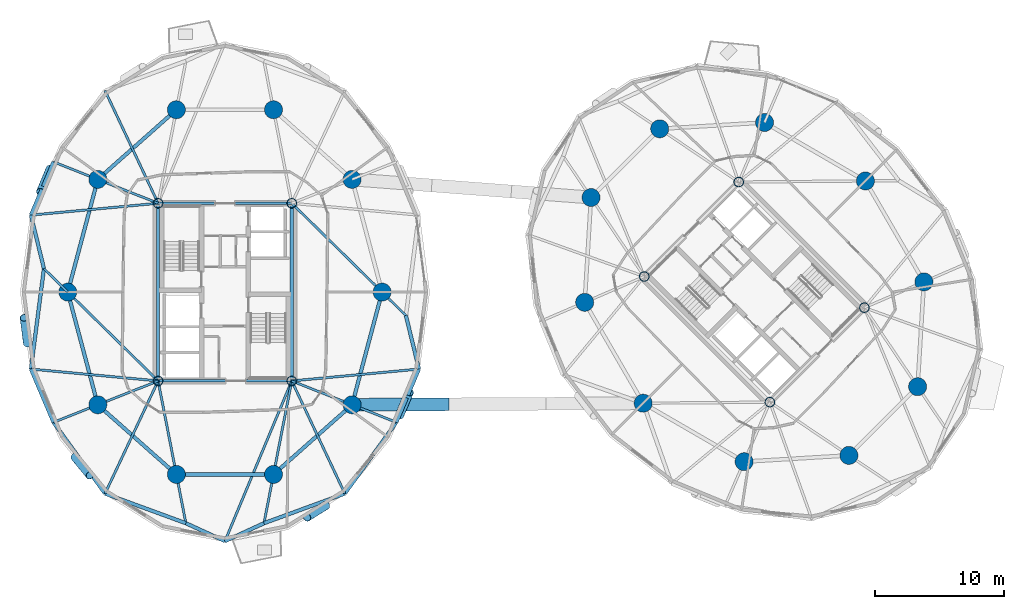
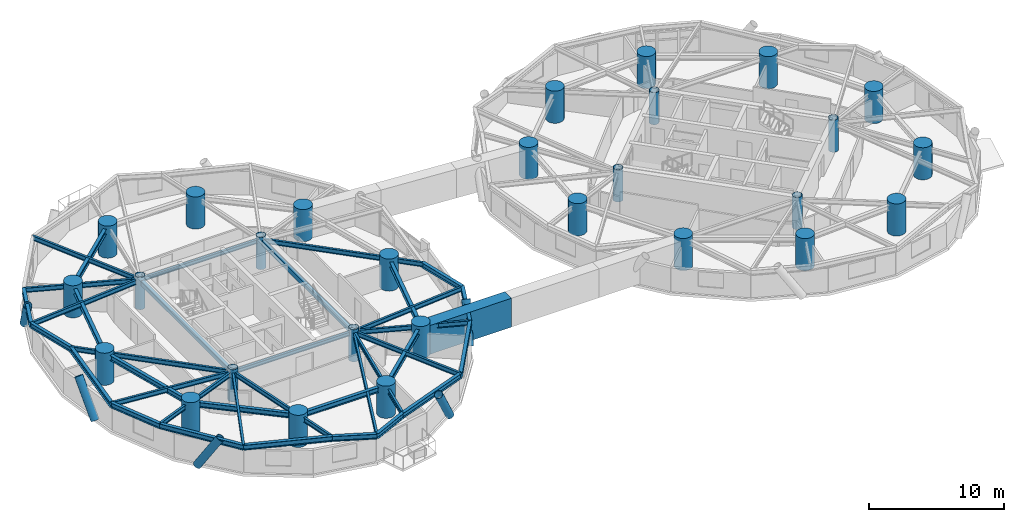
# One storey, part 1 of 18: 39 beams, 28 columns, 5 members.
"""IFC4 building model written with IfcOpenShell, lengths in metres."""

import ifcopenshell
import ifcopenshell.guid

model = None  # the IFC model being written
_history = None  # IfcOwnerHistory: only IFC2X3 demands one
_inside = {}  # id of a spatial element -> (the spatial element, [elements in it])
_under = {}  # id of a project, library or spatial element -> (it, [spatial elements below it])
_declared = {}  # id of a project -> (the project, [libraries it declares])
_typed = {}  # id of a type object -> (the type object, [elements of that type])
_made_of = {}  # id of a material, layer set ... -> (it, [elements and type objects made of it])


def new_model(schema):
    """Start an empty IFC model of exactly this schema.

    Asked for "IFC4X3", IfcOpenShell would pick the latest addendum, in which some entities
    have other attributes; the version numbers below select the first issue.
    IFC2X3 requires an IfcOwnerHistory on every rooted entity: one is made here for all.
    """
    global model, _history
    if schema == "IFC4X3":
        model = ifcopenshell.file(schema_version=(4, 3, 0, 0))
    else:
        model = ifcopenshell.file(schema=schema)
    _inside.clear()
    _under.clear()
    _declared.clear()
    _typed.clear()
    _made_of.clear()
    _history = None
    if model.schema == "IFC2X3":
        org = make("IfcOrganization", Name="unknown")
        user = make(
            "IfcPersonAndOrganization",
            ThePerson=make("IfcPerson", FamilyName="unknown"),
            TheOrganization=org,
        )
        app = make(
            "IfcApplication",
            ApplicationDeveloper=org,
            Version="unknown",
            ApplicationFullName="unknown",
            ApplicationIdentifier="unknown",
        )
        _history = make(
            "IfcOwnerHistory",
            OwningUser=user,
            OwningApplication=app,
            ChangeAction="ADDED",
            CreationDate=0,
        )
    return model


def make(cls, **values):
    """One entity of the class cls with the attributes given. An attribute that is None is left unset."""
    return model.create_entity(
        cls, **{name: value for name, value in values.items() if value is not None}
    )


def rooted(cls, **values):
    """An entity with a GlobalId (a new one), such as an element, a storey or a relation."""
    return make(cls, GlobalId=ifcopenshell.guid.new(), OwnerHistory=_history, **values)


def si_unit(unit_type, name, prefix=None):
    """IfcSIUnit, for example si_unit("LENGTHUNIT", "METRE", prefix="MILLI")."""
    return make("IfcSIUnit", UnitType=unit_type, Prefix=prefix, Name=name)


def assignment(units):
    """IfcUnitAssignment: the units of a project."""
    return None if units is None else make("IfcUnitAssignment", Units=units)


def point(xyz):
    """IfcCartesianPoint."""
    return None if xyz is None else make("IfcCartesianPoint", Coordinates=xyz)


def direction(xyz):
    """IfcDirection."""
    return None if xyz is None else make("IfcDirection", DirectionRatios=xyz)


def frame(location, z_axis=None, x_axis=None):
    """IfcAxis2Placement3D, a coordinate frame: its origin and axes. An axis left out is left unset."""
    return make(
        "IfcAxis2Placement3D",
        Location=point(location),
        Axis=direction(z_axis),
        RefDirection=direction(x_axis),
    )


def frame_2d(location, x_axis=None):
    """IfcAxis2Placement2D, a coordinate frame in the plane: its origin and x axis."""
    return make(
        "IfcAxis2Placement2D", Location=point(location), RefDirection=direction(x_axis)
    )


def origin():
    """The frame at (0, 0, 0) with its axes left unset."""
    return frame((0.0, 0.0, 0.0))


def origin_2d():
    """The frame at (0, 0) in the plane with its x axis left unset."""
    return frame_2d((0.0, 0.0))


def place(relative_to, where):
    """IfcLocalPlacement: puts the frame where relative to a parent placement (None: the world)."""
    return make(
        "IfcLocalPlacement", PlacementRelTo=relative_to, RelativePlacement=where
    )


def context(
    kind, dimensions, precision=None, world=None, true_north=None, identifier=None
):
    """IfcGeometricRepresentationContext, for example the 3D "Model" context."""
    return make(
        "IfcGeometricRepresentationContext",
        ContextIdentifier=identifier,
        ContextType=kind,
        CoordinateSpaceDimension=dimensions,
        Precision=precision,
        WorldCoordinateSystem=world,
        TrueNorth=true_north,
    )


def subcontext(parent, identifier, kind, view, scale=None):
    """IfcGeometricRepresentationSubContext, for example "Body" below "Model"."""
    return make(
        "IfcGeometricRepresentationSubContext",
        ContextIdentifier=identifier,
        ContextType=kind,
        ParentContext=parent,
        TargetScale=scale,
        TargetView=view,
    )


def project(units=None, contexts=None):
    """IfcProject with its units and contexts."""
    return rooted(
        "IfcProject",
        Name="project",
        RepresentationContexts=contexts,
        UnitsInContext=assignment(units),
    )


def spatial(cls, under=None, at=None, **own):
    """A site, building, storey or space (cls), placed at a placement, below another one or the project."""
    s = rooted(cls, ObjectPlacement=at, **own)
    if under is not None:
        _under.setdefault(under.id(), (under, []))[1].append(s)
    return s


def profile(cls, at=None, kind="AREA", **sizes):
    """A parametric profile (cls). Its sizes go by their IFC names, for example OverallWidth=200.0."""
    return make(cls, ProfileType=kind, Position=at, **sizes)


def hollow_rectangle(**sizes):
    """IfcRectangleHollowProfileDef."""
    return profile("IfcRectangleHollowProfileDef", **sizes)


def circle(**sizes):
    """IfcCircleProfileDef."""
    return profile("IfcCircleProfileDef", **sizes)


def hollow_circle(**sizes):
    """IfcCircleHollowProfileDef."""
    return profile("IfcCircleHollowProfileDef", **sizes)


def i_section(**sizes):
    """IfcIShapeProfileDef."""
    return profile("IfcIShapeProfileDef", **sizes)


def extrude(swept, where, along, depth):
    """IfcExtrudedAreaSolid: the profile swept, set in the frame where, extruded along a direction by depth."""
    return make(
        "IfcExtrudedAreaSolid",
        SweptArea=swept,
        Position=where,
        ExtrudedDirection=direction(along),
        Depth=depth,
    )


def shape(context_of_items, identifier, shape_type, items):
    """IfcShapeRepresentation: the items that make up one representation, for example the "Body"."""
    return make(
        "IfcShapeRepresentation",
        ContextOfItems=context_of_items,
        RepresentationIdentifier=identifier,
        RepresentationType=shape_type,
        Items=items,
    )


def material(Name=None, Category=None):
    """IfcMaterial."""
    return make("IfcMaterial", Name=Name, Category=Category)


def material_profile(
    of_material, cross_section, Name=None, Category=None, Priority=None
):
    """IfcMaterialProfile: a cross section and its material."""
    return make(
        "IfcMaterialProfile",
        Name=Name,
        Material=of_material,
        Profile=cross_section,
        Priority=Priority,
        Category=Category,
    )


def profile_set(profiles, Name=None, composite=None):
    """IfcMaterialProfileSet."""
    return make(
        "IfcMaterialProfileSet",
        Name=Name,
        MaterialProfiles=profiles,
        CompositeProfile=composite,
    )


def made_of(thing, what):
    """Note that an element or type object is made of a material, layer set ...; save() writes the relation."""
    if what is not None:
        _made_of.setdefault(what.id(), (what, []))[1].append(thing)
    return thing


def type_object(cls, material=None, **own):
    """A type object (cls), such as IfcWallType, which elements share."""
    return made_of(rooted(cls, **own), material)


def element(
    cls,
    number,
    at=None,
    inside=None,
    cuts=None,
    type_object=None,
    material=None,
    context=None,
    identifier="Body",
    shape_type=None,
    held_by="IfcProductDefinitionShape",
    body=None,
    shapes=None,
    **own,
):
    """One element of the class cls, such as IfcWall. Its Tag is "e" and its number.

    at: its placement. inside: the storey or other place that contains it. cuts: it is an
    opening in that element (IfcRelVoidsElement). A single representation is given by context,
    identifier, shape_type and body (its items); several are given by shapes. held_by: the class
    of the entity that holds the representations. save() writes the other relations.
    """
    e = rooted(cls, Tag="e%d" % number, ObjectPlacement=at, **own)
    if body is not None:
        shapes = [shape(context, identifier, shape_type, body)]
    if shapes is not None:
        e.Representation = make(held_by, Representations=shapes)
    if inside is not None:
        _inside.setdefault(inside.id(), (inside, []))[1].append(e)
    if cuts is not None:
        rooted(
            "IfcRelVoidsElement", RelatingBuildingElement=cuts, RelatedOpeningElement=e
        )
    if type_object is not None:
        _typed.setdefault(type_object.id(), (type_object, []))[1].append(e)
    return made_of(e, material)


def aggregate(whole, parts):
    """IfcRelAggregates: a whole, such as a stair, and the parts it consists of."""
    return rooted("IfcRelAggregates", RelatingObject=whole, RelatedObjects=parts)


def save(model, path):
    """Write the relations noted so far, then the file.

    IfcRelAggregates (storeys below a building ...), IfcRelContainedInSpatialStructure (elements
    in a storey), IfcRelDefinesByType, IfcRelAssociatesMaterial and IfcRelDeclares: one each for
    every whole, place, type object, material and project.
    """
    for whole, parts in _under.values():
        aggregate(whole, parts)
    for where, things in _inside.values():
        rooted(
            "IfcRelContainedInSpatialStructure",
            RelatedElements=things,
            RelatingStructure=where,
        )
    for kind, things in _typed.values():
        rooted("IfcRelDefinesByType", RelatedObjects=things, RelatingType=kind)
    for what, things in _made_of.values():
        rooted("IfcRelAssociatesMaterial", RelatedObjects=things, RelatingMaterial=what)
    for by, libraries in _declared.values():
        rooted("IfcRelDeclares", RelatingContext=by, RelatedDefinitions=libraries)
    model.write(path)


model = new_model("IFC4")

# Units and contexts
model_context = context("Model", 3, precision=1e-05, world=origin(), true_north=direction((0.0, 1.0)))
body_context = subcontext(model_context, "Body", "Model", "MODEL_VIEW")
ifc_project = project(units=[si_unit("LENGTHUNIT", "METRE"), si_unit("AREAUNIT", "SQUARE_METRE"), si_unit("VOLUMEUNIT", "CUBIC_METRE"), si_unit("PLANEANGLEUNIT", "RADIAN"), si_unit("MASSUNIT", "GRAM", prefix="KILO")], contexts=[model_context])

# Site, building, storey
site_placement = place(None, origin())
site = spatial("IfcSite", under=ifc_project, at=site_placement, CompositionType="ELEMENT")
building_placement = place(site_placement, origin())
building = spatial("IfcBuilding", under=site, at=building_placement, Name="Cununo Teusaquillo Station Towers", CompositionType="ELEMENT")
storey_placement = place(building_placement, frame((0.0, 0.0, 122.530029296875)))
storey = spatial("IfcBuildingStorey", under=building, at=storey_placement, Name="L39", CompositionType="ELEMENT", Elevation=122.530029296875)

# Columns
ifc_material_1 = material(Name="Steel EN 10025-2 S355J2", Category="steel")
ifc_material_profile_1 = material_profile(ifc_material_1, hollow_circle(Radius=0.3798828125, WallThickness=0.031982421875, at=origin_2d()), Name="CHS 760x32")
ifc_profile_set_1 = profile_set([ifc_material_profile_1], Name="Steel EN 10025-2 S355J2")
column_type_1 = type_object("IfcColumnType", Name="COL-CORE-Z2", PredefinedType="COLUMN", material=ifc_profile_set_1)
for number, where, z_axis, x_axis, name in (
    (1, (11.324951171875, 17.6201171875, 0.0), (0.0, 0.0, 1.0), (1.0, 0.0, 0.0), "L39 Tower A Core Column 1"),
    (2, (11.324951171875, 31.3798828125, 0.0), (0.0, 0.0, 1.0), (1.0, 0.0, 0.0), "L39 Tower A Core Column 2"),
    (3, (21.675048828125, 17.6201171875, 0.0), (0.0, 0.0, 1.0), (1.0, 0.0, 0.0), "L39 Tower A Core Column 3"),
    (4, (21.675048828125, 31.3798828125, 0.0), (0.0, 0.0, 1.0), (1.0, 0.0, 0.0), "L39 Tower A Core Column 4"),
    (5, (58.70556640625, 15.975830078125, 0.0), (0.0, 0.0, 1.0), (0.707106781187, 0.707106781187, 0.0), "L39 Tower B Core Column 1"),
    (6, (48.975830078125, 25.70556640625, 0.0), (0.0, 0.0, 1.0), (0.707106781187, 0.707106781187, 0.0), "L39 Tower B Core Column 2"),
    (7, (66.024169921875, 23.29443359375, 0.0), (0.0, 0.0, 1.0), (0.707106781187, 0.707106781187, 0.0), "L39 Tower B Core Column 3"),
    (8, (56.29443359375, 33.024169921875, 0.0), (0.0, 0.0, 1.0), (0.707106781187, 0.707106781187, 0.0), "L39 Tower B Core Column 4"),
):
    element("IfcColumn", number, at=place(storey_placement, frame(where, z_axis=z_axis, x_axis=x_axis)), inside=storey, type_object=column_type_1, Name=name, PredefinedType="COLUMN", context=body_context, shape_type="SweptSolid", body=[
        extrude(hollow_circle(Radius=0.3798828125, WallThickness=0.031982421875, at=origin_2d()), origin(), (0.0, 0.0, 1.0), 2.909912109375),
    ])
ifc_material_2 = material(Name="Concrete C60/75", Category="concrete")
ifc_material_profile_2 = material_profile(ifc_material_2, circle(Radius=0.699951171875, at=origin_2d()), Name="RC-CIRC-1400")
ifc_profile_set_2 = profile_set([ifc_material_profile_2], Name="Concrete C60/75")
column_type_2 = type_object("IfcColumnType", Name="COL-MEGA-Z2", PredefinedType="USERDEFINED", material=ifc_profile_set_2)
for number, where, z_axis, x_axis, name in (
    (9, (28.672119140625, 24.5, 0.0), (0.0, 0.0, 1.0), (1.0, 0.0, 0.0), "L39 Tower A Perimeter Column V00"),
    (10, (26.347412109375, 33.228515625, 0.0), (0.0, 0.0, 1.0), (1.0, 0.0, 0.0), "L39 Tower A Perimeter Column V02"),
    (11, (20.261474609375, 38.623291015625, 0.0), (0.0, 0.0, 1.0), (1.0, 0.0, 0.0), "L39 Tower A Perimeter Column V04"),
    (12, (12.738525390625, 38.623291015625, 0.0), (0.0, 0.0, 1.0), (1.0, 0.0, 0.0), "L39 Tower A Perimeter Column V06"),
    (13, (6.652587890625, 33.228515625, 0.0), (0.0, 0.0, 1.0), (1.0, 0.0, 0.0), "L39 Tower A Perimeter Column V08"),
    (14, (4.327880859375, 24.5, 0.0), (0.0, 0.0, 1.0), (1.0, 0.0, 0.0), "L39 Tower A Perimeter Column V10"),
    (15, (6.652587890625, 15.771484375, 0.0), (0.0, 0.0, 1.0), (1.0, 0.0, 0.0), "L39 Tower A Perimeter Column V12"),
    (16, (12.738525390625, 10.376708984375, 0.0), (0.0, 0.0, 1.0), (1.0, 0.0, 0.0), "L39 Tower A Perimeter Column V14"),
    (17, (20.261474609375, 10.376708984375, 0.0), (0.0, 0.0, 1.0), (1.0, 0.0, 0.0), "L39 Tower A Perimeter Column V16"),
    (18, (26.347412109375, 15.771484375, 0.0), (0.0, 0.0, 1.0), (1.0, 0.0, 0.0), "L39 Tower A Perimeter Column V18"),
    (19, (66.10693359375, 33.10693359375, 0.0), (0.0, 0.0, 1.0), (1.0, 0.0, 0.0), "L39 Tower B Perimeter Column V00"),
    (20, (58.291015625, 37.63525390625, 0.0), (0.0, 0.0, 1.0), (1.0, 0.0, 0.0), "L39 Tower B Perimeter Column V02"),
    (21, (50.173095703125, 37.146240234375, 0.0), (0.0, 0.0, 1.0), (1.0, 0.0, 0.0), "L39 Tower B Perimeter Column V04"),
    (22, (44.853759765625, 31.826904296875, 0.0), (0.0, 0.0, 1.0), (1.0, 0.0, 0.0), "L39 Tower B Perimeter Column V06"),
    (23, (44.36474609375, 23.708984375, 0.0), (0.0, 0.0, 1.0), (1.0, 0.0, 0.0), "L39 Tower B Perimeter Column V08"),
    (24, (48.89306640625, 15.89306640625, 0.0), (0.0, 0.0, 1.0), (1.0, 0.0, 0.0), "L39 Tower B Perimeter Column V10"),
    (25, (56.708984375, 11.36474609375, 0.0), (0.0, 0.0, 1.0), (1.0, 0.0, 0.0), "L39 Tower B Perimeter Column V12"),
    (26, (64.826904296875, 11.853759765625, 0.0), (0.0, 0.0, 1.0), (1.0, 0.0, 0.0), "L39 Tower B Perimeter Column V14"),
    (27, (70.146240234375, 17.173095703125, 0.0), (0.0, 0.0, 1.0), (1.0, 0.0, 0.0), "L39 Tower B Perimeter Column V16"),
    (28, (70.63525390625, 25.291015625, 0.0), (0.0, 0.0, 1.0), (1.0, 0.0, 0.0), "L39 Tower B Perimeter Column V18"),
):
    element("IfcColumn", number, at=place(storey_placement, frame(where, z_axis=z_axis, x_axis=x_axis)), inside=storey, type_object=column_type_2, Name=name, ObjectType="MEGA COLUMN", PredefinedType="USERDEFINED", context=body_context, shape_type="SweptSolid", body=[
        extrude(circle(Radius=0.699951171875, at=origin_2d()), origin(), (0.0, 0.0, 1.0), 2.909912109375),
    ])

# Beams
ifc_material_3 = material(Name="Steel EN 10025-2 S355J2", Category="steel")
ifc_material_profile_3 = material_profile(ifc_material_3, hollow_rectangle(XDim=0.25, YDim=0.449951171875, WallThickness=0.01611328125, at=origin_2d()), Name="RHS 450x250x16")
ifc_profile_set_3 = profile_set([ifc_material_profile_3], Name="Steel EN 10025-2 S355J2")
beam_type_1 = type_object("IfcBeamType", Name="BM-COUP-1", PredefinedType="USERDEFINED", material=ifc_profile_set_3)
for number, where, z_axis, x_axis, name in (
    (29, (11.324951171875, 17.6201171875, 2.405029296875), (0.0, 1.0, 0.0), (-1.0, 0.0, 0.0), "L39 Tower A Core Beam 1"),
    (30, (21.675048828125, 17.6201171875, 2.405029296875), (0.0, 1.0, 0.0), (-1.0, 0.0, 0.0), "L39 Tower A Core Beam 2"),
):
    element("IfcBeam", number, at=place(storey_placement, frame(where, z_axis=z_axis, x_axis=x_axis)), inside=storey, type_object=beam_type_1, Name=name, ObjectType="COUPLING BEAM", PredefinedType="USERDEFINED", context=body_context, shape_type="SweptSolid", body=[
        extrude(hollow_rectangle(XDim=0.25, YDim=0.449951171875, WallThickness=0.01611328125, at=origin_2d()), origin(), (0.0, 0.0, 1.0), 13.759765625),
    ])
ifc_material_4 = material(Name="Steel ASTM A572 Grade 50", Category="steel")
ifc_material_profile_4 = material_profile(ifc_material_4, i_section(OverallWidth=0.180908203125, OverallDepth=0.4169921875, WebThickness=0.010986328125, FlangeThickness=0.018310546875, FilletRadius=0.012939453125, at=origin_2d()), Name="W16X57")
ifc_profile_set_4 = profile_set([ifc_material_profile_4], Name="Steel ASTM A572 Grade 50")
beam_type_2 = type_object("IfcBeamType", Name="BM-JOIST-1", PredefinedType="JOIST", material=ifc_profile_set_4)
beam_1_placement = place(storey_placement, frame((11.324951171875, 31.3798828125, 2.42138671875), z_axis=(-0.426319838016, 0.904572493344, 0.0), x_axis=(-0.904572493344, -0.426319838016, 0.0)))
element("IfcBeam", 31, at=beam_1_placement, inside=storey, type_object=beam_type_2, Name="L39 Tower A Radial Spandrel Joist V07", PredefinedType="JOIST", context=body_context, shape_type="SweptSolid", body=[
    extrude(i_section(OverallWidth=0.180908203125, OverallDepth=0.4169921875, WebThickness=0.010986328125, FlangeThickness=0.018310546875, FilletRadius=0.012939453125, at=origin_2d()), origin(), (0.0, 0.0, 1.0), 9.646728515625),
])
for number, where, z_axis, x_axis, name in (
    (32, (11.324951171875, 31.3798828125, 2.42138671875), (-0.995678537907, -0.09286683558, 0.0), (0.09286683558, -0.995678537907, 0.0), "L39 Tower A Radial Spandrel Joist V09"),
    (33, (11.324951171875, 17.6201171875, 2.42138671875), (-0.995678537907, 0.09286683558, 0.0), (-0.09286683558, -0.995678537907, 0.0), "L39 Tower A Radial Spandrel Joist V11"),
):
    element("IfcBeam", number, at=place(storey_placement, frame(where, z_axis=z_axis, x_axis=x_axis)), inside=storey, type_object=beam_type_2, Name=name, PredefinedType="JOIST", context=body_context, shape_type="SweptSolid", body=[
        extrude(i_section(OverallWidth=0.180908203125, OverallDepth=0.4169921875, WebThickness=0.010986328125, FlangeThickness=0.018310546875, FilletRadius=0.012939453125, at=origin_2d()), origin(), (0.0, 0.0, 1.0), 9.895263671875),
    ])
beam_2_placement = place(storey_placement, frame((11.324951171875, 17.6201171875, 2.42138671875), z_axis=(-0.426319838016, -0.904572493344, 0.0), x_axis=(0.904572493344, -0.426319838016, 0.0)))
element("IfcBeam", 34, at=beam_2_placement, inside=storey, type_object=beam_type_2, Name="L39 Tower A Radial Spandrel Joist V13", PredefinedType="JOIST", context=body_context, shape_type="SweptSolid", body=[
    extrude(i_section(OverallWidth=0.180908203125, OverallDepth=0.4169921875, WebThickness=0.010986328125, FlangeThickness=0.018310546875, FilletRadius=0.012939453125, at=origin_2d()), origin(), (0.0, 0.0, 1.0), 9.646728515625),
])
beam_3_placement = place(storey_placement, frame((21.675048828125, 17.6201171875, 2.42138671875), z_axis=(-0.38487837995, -0.922967297713, 0.0), x_axis=(0.922967297713, -0.38487837995, 0.0)))
element("IfcBeam", 35, at=beam_3_placement, inside=storey, type_object=beam_type_2, Name="L39 Tower A Radial Spandrel Joist V15", PredefinedType="JOIST", context=body_context, shape_type="SweptSolid", body=[
    extrude(i_section(OverallWidth=0.180908203125, OverallDepth=0.4169921875, WebThickness=0.010986328125, FlangeThickness=0.018310546875, FilletRadius=0.012939453125, at=origin_2d()), origin(), (0.0, 0.0, 1.0), 13.446044921875),
])
beam_4_placement = place(storey_placement, frame((21.675048828125, 17.6201171875, 2.42138671875), z_axis=(0.426319838016, -0.904572493344, 0.0), x_axis=(0.904572493344, 0.426319838016, 0.0)))
element("IfcBeam", 36, at=beam_4_placement, inside=storey, type_object=beam_type_2, Name="L39 Tower A Radial Spandrel Joist V17", PredefinedType="JOIST", context=body_context, shape_type="SweptSolid", body=[
    extrude(i_section(OverallWidth=0.180908203125, OverallDepth=0.4169921875, WebThickness=0.010986328125, FlangeThickness=0.018310546875, FilletRadius=0.012939453125, at=origin_2d()), origin(), (0.0, 0.0, 1.0), 9.646728515625),
])
beam_5_placement = place(storey_placement, frame((21.675048828125, 17.6201171875, 2.42138671875), z_axis=(0.995678537907, 0.09286683558, 0.0), x_axis=(-0.09286683558, 0.995678537907, 0.0)))
element("IfcBeam", 37, at=beam_5_placement, inside=storey, type_object=beam_type_2, Name="L39 Tower A Radial Spandrel Joist V19", PredefinedType="JOIST", context=body_context, shape_type="SweptSolid", body=[
    extrude(i_section(OverallWidth=0.180908203125, OverallDepth=0.4169921875, WebThickness=0.010986328125, FlangeThickness=0.018310546875, FilletRadius=0.012939453125, at=origin_2d()), origin(), (0.0, 0.0, 1.0), 9.895263671875),
])
ifc_material_5 = material(Name="Steel ASTM A572 Grade 50", Category="steel")
ifc_material_profile_5 = material_profile(ifc_material_5, i_section(OverallWidth=0.2041015625, OverallDepth=0.35009765625, WebThickness=0.008544921875, FlangeThickness=0.01513671875, FilletRadius=0.011962890625, at=origin_2d()), Name="W14X48")
ifc_profile_set_5 = profile_set([ifc_material_profile_5], Name="Steel ASTM A572 Grade 50")
beam_type_3 = type_object("IfcBeamType", Name="BM-LINTEL-1", PredefinedType="LINTEL", material=ifc_profile_set_5)
for number, where, z_axis, x_axis, name in (
    (38, (11.324951171875, 17.6201171875, 2.455078125), (1.0, 0.0, 0.0), (0.0, 1.0, 0.0), "L39 Tower A Core Beam 3"),
    (39, (11.324951171875, 31.3798828125, 2.455078125), (1.0, 0.0, 0.0), (0.0, 1.0, 0.0), "L39 Tower A Core Beam 4"),
):
    element("IfcBeam", number, at=place(storey_placement, frame(where, z_axis=z_axis, x_axis=x_axis)), inside=storey, type_object=beam_type_3, Name=name, PredefinedType="LINTEL", context=body_context, shape_type="SweptSolid", body=[
        extrude(i_section(OverallWidth=0.2041015625, OverallDepth=0.35009765625, WebThickness=0.008544921875, FlangeThickness=0.01513671875, FilletRadius=0.011962890625, at=origin_2d()), origin(), (0.0, 0.0, 1.0), 10.35009765625),
    ])
ifc_material_6 = material(Name="Steel ASTM A572 Grade 50", Category="steel")
ifc_material_profile_6 = material_profile(ifc_material_6, i_section(OverallWidth=0.180908203125, OverallDepth=0.4169921875, WebThickness=0.010986328125, FlangeThickness=0.018310546875, FilletRadius=0.012939453125, at=origin_2d()), Name="W16X57")
ifc_profile_set_6 = profile_set([ifc_material_profile_6], Name="Steel ASTM A572 Grade 50")
beam_type_4 = type_object("IfcBeamType", Name="BM-RAD-G2", PredefinedType="BEAM", material=ifc_profile_set_6)
beam_6_placement = place(storey_placement, frame((21.675048828125, 31.3798828125, 2.42138671875), z_axis=(0.713047137857, -0.701116095375, 0.0), x_axis=(0.701116095375, 0.713047137857, 0.0)))
element("IfcBeam", 40, at=beam_6_placement, inside=storey, type_object=beam_type_4, Name="L39 Tower A Continuous Overhanging Radial Girder 01", PredefinedType="BEAM", context=body_context, shape_type="SweptSolid", body=[
    extrude(i_section(OverallWidth=0.180908203125, OverallDepth=0.4169921875, WebThickness=0.010986328125, FlangeThickness=0.018310546875, FilletRadius=0.012939453125, at=origin_2d()), origin(), (0.0, 0.0, 1.0), 12.400390625),
])
beam_7_placement = place(storey_placement, frame((11.324951171875, 31.3798828125, 2.42138671875), z_axis=(-0.929863123823, 0.367905654963, 0.0), x_axis=(-0.367905654963, -0.929863123823, 0.0)))
element("IfcBeam", 41, at=beam_7_placement, inside=storey, type_object=beam_type_4, Name="L39 Tower A Continuous Overhanging Radial Girder 05", PredefinedType="BEAM", context=body_context, shape_type="SweptSolid", body=[
    extrude(i_section(OverallWidth=0.180908203125, OverallDepth=0.4169921875, WebThickness=0.010986328125, FlangeThickness=0.018310546875, FilletRadius=0.012939453125, at=origin_2d()), origin(), (0.0, 0.0, 1.0), 8.715087890625),
])
beam_8_placement = place(storey_placement, frame((11.324951171875, 17.6201171875, 2.42138671875), z_axis=(-0.713052701438, 0.701110437073, 0.0), x_axis=(-0.701110437073, -0.713052701438, 0.0)))
element("IfcBeam", 42, at=beam_8_placement, inside=storey, type_object=beam_type_4, Name="L39 Tower A Radial Girder 06A", PredefinedType="BEAM", context=body_context, shape_type="SweptSolid", body=[
    extrude(i_section(OverallWidth=0.180908203125, OverallDepth=0.4169921875, WebThickness=0.010986328125, FlangeThickness=0.018310546875, FilletRadius=0.012939453125, at=origin_2d()), origin(), (0.0, 0.0, 1.0), 9.812744140625),
])
beam_9_placement = place(storey_placement, frame((4.327880859375, 24.5, 2.42138671875), z_axis=(-0.7130260383, 0.701137553342, 0.0), x_axis=(-0.701137553342, -0.7130260383, 0.0)))
element("IfcBeam", 43, at=beam_9_placement, inside=storey, type_object=beam_type_4, Name="L39 Tower A Perimeter Overhang Girder 06B", PredefinedType="BEAM", context=body_context, shape_type="SweptSolid", body=[
    extrude(i_section(OverallWidth=0.180908203125, OverallDepth=0.4169921875, WebThickness=0.010986328125, FlangeThickness=0.018310546875, FilletRadius=0.012939453125, at=origin_2d()), origin(), (0.0, 0.0, 1.0), 2.58740234375),
])
beam_10_placement = place(storey_placement, frame((11.324951171875, 17.6201171875, 2.42138671875), z_axis=(-0.929863123823, -0.367905654963, 0.0), x_axis=(0.367905654963, -0.929863123823, 0.0)))
element("IfcBeam", 44, at=beam_10_placement, inside=storey, type_object=beam_type_4, Name="L39 Tower A Continuous Overhanging Radial Girder 07", PredefinedType="BEAM", context=body_context, shape_type="SweptSolid", body=[
    extrude(i_section(OverallWidth=0.180908203125, OverallDepth=0.4169921875, WebThickness=0.010986328125, FlangeThickness=0.018310546875, FilletRadius=0.012939453125, at=origin_2d()), origin(), (0.0, 0.0, 1.0), 8.715087890625),
])
for number, where, z_axis, x_axis, name in (
    (45, (11.324951171875, 17.6201171875, 2.42138671875), (0.191552755713, -0.981482318628, 0.0), (0.981482318628, 0.191552755713, 0.0), "L39 Tower A Continuous Overhanging Radial Girder 08"),
    (46, (21.675048828125, 17.6201171875, 2.42138671875), (-0.191552755713, -0.981482318628, 0.0), (0.981482318628, -0.191552755713, 0.0), "L39 Tower A Continuous Overhanging Radial Girder 09"),
):
    element("IfcBeam", number, at=place(storey_placement, frame(where, z_axis=z_axis, x_axis=x_axis)), inside=storey, type_object=beam_type_4, Name=name, PredefinedType="BEAM", context=body_context, shape_type="SweptSolid", body=[
        extrude(i_section(OverallWidth=0.180908203125, OverallDepth=0.4169921875, WebThickness=0.010986328125, FlangeThickness=0.018310546875, FilletRadius=0.012939453125, at=origin_2d()), origin(), (0.0, 0.0, 1.0), 11.22998046875),
    ])
beam_11_placement = place(storey_placement, frame((21.675048828125, 17.6201171875, 2.42138671875), z_axis=(0.929863123823, -0.367905654963, 0.0), x_axis=(0.367905654963, 0.929863123823, 0.0)))
element("IfcBeam", 47, at=beam_11_placement, inside=storey, type_object=beam_type_4, Name="L39 Tower A Continuous Overhanging Radial Girder 10", PredefinedType="BEAM", context=body_context, shape_type="SweptSolid", body=[
    extrude(i_section(OverallWidth=0.180908203125, OverallDepth=0.4169921875, WebThickness=0.010986328125, FlangeThickness=0.018310546875, FilletRadius=0.012939453125, at=origin_2d()), origin(), (0.0, 0.0, 1.0), 8.715087890625),
])
ifc_material_7 = material(Name="Steel ASTM A572 Grade 50", Category="steel")
ifc_material_profile_7 = material_profile(ifc_material_7, i_section(OverallWidth=0.280029296875, OverallDepth=0.462890625, WebThickness=0.0107421875, FlangeThickness=0.017333984375, FilletRadius=0.013916015625, at=origin_2d()), Name="W18X76")
ifc_profile_set_7 = profile_set([ifc_material_profile_7], Name="Steel ASTM A572 Grade 50")
beam_type_5 = type_object("IfcBeamType", Name="BM-RING-Z2", PredefinedType="SPANDREL", material=ifc_profile_set_7)
beam_12_placement = place(storey_placement, frame((12.738525390625, 38.623291015625, 2.3984375), z_axis=(-0.74832120039, -0.66333655187, 0.0), x_axis=(0.66333655187, -0.74832120039, 0.0)))
element("IfcBeam", 48, at=beam_12_placement, inside=storey, type_object=beam_type_5, Name="L39 Tower A Structural Column Ring Girder 04", PredefinedType="SPANDREL", context=body_context, shape_type="SweptSolid", body=[
    extrude(i_section(OverallWidth=0.280029296875, OverallDepth=0.462890625, WebThickness=0.0107421875, FlangeThickness=0.017333984375, FilletRadius=0.013916015625, at=origin_2d()), origin(), (0.0, 0.0, 1.0), 8.1328125),
])
for number, where, z_axis, x_axis, name in (
    (49, (6.652587890625, 33.228515625, 2.3984375), (-0.257363196347, -0.966314744359, 0.0), (0.966314744359, -0.257363196347, 0.0), "L39 Tower A Structural Column Ring Girder 05"),
    (50, (4.327880859375, 24.5, 2.3984375), (0.257363196347, -0.966314744359, 0.0), (0.966314744359, 0.257363196347, 0.0), "L39 Tower A Structural Column Ring Girder 06"),
):
    element("IfcBeam", number, at=place(storey_placement, frame(where, z_axis=z_axis, x_axis=x_axis)), inside=storey, type_object=beam_type_5, Name=name, PredefinedType="SPANDREL", context=body_context, shape_type="SweptSolid", body=[
        extrude(i_section(OverallWidth=0.280029296875, OverallDepth=0.462890625, WebThickness=0.0107421875, FlangeThickness=0.017333984375, FilletRadius=0.013916015625, at=origin_2d()), origin(), (0.0, 0.0, 1.0), 9.03271484375),
    ])
beam_13_placement = place(storey_placement, frame((6.652587890625, 15.771484375, 2.3984375), z_axis=(0.74832120039, -0.66333655187, 0.0), x_axis=(0.66333655187, 0.74832120039, 0.0)))
element("IfcBeam", 51, at=beam_13_placement, inside=storey, type_object=beam_type_5, Name="L39 Tower A Structural Column Ring Girder 07", PredefinedType="SPANDREL", context=body_context, shape_type="SweptSolid", body=[
    extrude(i_section(OverallWidth=0.280029296875, OverallDepth=0.462890625, WebThickness=0.0107421875, FlangeThickness=0.017333984375, FilletRadius=0.013916015625, at=origin_2d()), origin(), (0.0, 0.0, 1.0), 8.1328125),
])
beam_14_placement = place(storey_placement, frame((12.738525390625, 10.376708984375, 2.3984375), z_axis=(1.0, 0.0, 0.0), x_axis=(0.0, 1.0, 0.0)))
element("IfcBeam", 52, at=beam_14_placement, inside=storey, type_object=beam_type_5, Name="L39 Tower A Structural Column Ring Girder 08", PredefinedType="SPANDREL", context=body_context, shape_type="SweptSolid", body=[
    extrude(i_section(OverallWidth=0.280029296875, OverallDepth=0.462890625, WebThickness=0.0107421875, FlangeThickness=0.017333984375, FilletRadius=0.013916015625, at=origin_2d()), origin(), (0.0, 0.0, 1.0), 7.52294921875),
])
beam_15_placement = place(storey_placement, frame((20.261474609375, 10.376708984375, 2.3984375), z_axis=(0.74832120039, 0.66333655187, 0.0), x_axis=(-0.66333655187, 0.74832120039, 0.0)))
element("IfcBeam", 53, at=beam_15_placement, inside=storey, type_object=beam_type_5, Name="L39 Tower A Structural Column Ring Girder 09", PredefinedType="SPANDREL", context=body_context, shape_type="SweptSolid", body=[
    extrude(i_section(OverallWidth=0.280029296875, OverallDepth=0.462890625, WebThickness=0.0107421875, FlangeThickness=0.017333984375, FilletRadius=0.013916015625, at=origin_2d()), origin(), (0.0, 0.0, 1.0), 8.1328125),
])
beam_16_placement = place(storey_placement, frame((26.347412109375, 15.771484375, 2.3984375), z_axis=(0.257363196347, 0.966314744359, 0.0), x_axis=(-0.966314744359, 0.257363196347, 0.0)))
element("IfcBeam", 54, at=beam_16_placement, inside=storey, type_object=beam_type_5, Name="L39 Tower A Structural Column Ring Girder 10", PredefinedType="SPANDREL", context=body_context, shape_type="SweptSolid", body=[
    extrude(i_section(OverallWidth=0.280029296875, OverallDepth=0.462890625, WebThickness=0.0107421875, FlangeThickness=0.017333984375, FilletRadius=0.013916015625, at=origin_2d()), origin(), (0.0, 0.0, 1.0), 9.03271484375),
])
beam_17_placement = place(storey_placement, frame((3.22119140625, 34.586181640625, 2.3984375), z_axis=(-0.390299356049, -0.920688010494, 0.0), x_axis=(0.920688010494, -0.390299356049, 0.0)))
element("IfcBeam", 55, at=beam_17_placement, inside=storey, type_object=beam_type_5, Name="L39 Tower A Spandrel Ring Beam 09", PredefinedType="SPANDREL", context=body_context, shape_type="SweptSolid", body=[
    extrude(i_section(OverallWidth=0.280029296875, OverallDepth=0.462890625, WebThickness=0.0107421875, FlangeThickness=0.017333984375, FilletRadius=0.013916015625, at=origin_2d()), origin(), (0.0, 0.0, 1.0), 4.480712890625),
])
beam_18_placement = place(storey_placement, frame((1.472412109375, 30.4609375, 2.3984375), z_axis=(0.236757334703, -0.971568816124, 0.0), x_axis=(0.971568816124, 0.236757334703, 0.0)))
element("IfcBeam", 56, at=beam_18_placement, inside=storey, type_object=beam_type_5, Name="L39 Tower A Spandrel Ring Beam 10", PredefinedType="SPANDREL", context=body_context, shape_type="SweptSolid", body=[
    extrude(i_section(OverallWidth=0.280029296875, OverallDepth=0.462890625, WebThickness=0.0107421875, FlangeThickness=0.017333984375, FilletRadius=0.013916015625, at=origin_2d()), origin(), (0.0, 0.0, 1.0), 4.26806640625),
])
beam_19_placement = place(storey_placement, frame((2.48291015625, 26.314208984375, 2.3984375), z_axis=(-0.12888124113, -0.991660035337, 0.0), x_axis=(0.991660035337, -0.12888124113, 0.0)))
element("IfcBeam", 57, at=beam_19_placement, inside=storey, type_object=beam_type_5, Name="L39 Tower A Spandrel Ring Beam 11", PredefinedType="SPANDREL", context=body_context, shape_type="SweptSolid", body=[
    extrude(i_section(OverallWidth=0.280029296875, OverallDepth=0.462890625, WebThickness=0.0107421875, FlangeThickness=0.017333984375, FilletRadius=0.013916015625, at=origin_2d()), origin(), (0.0, 0.0, 1.0), 7.840576171875),
])
beam_20_placement = place(storey_placement, frame((1.472412109375, 18.5390625, 2.3984375), z_axis=(0.390299356049, -0.920688010494, 0.0), x_axis=(0.920688010494, 0.390299356049, 0.0)))
element("IfcBeam", 58, at=beam_20_placement, inside=storey, type_object=beam_type_5, Name="L39 Tower A Spandrel Ring Beam 12", PredefinedType="SPANDREL", context=body_context, shape_type="SweptSolid", body=[
    extrude(i_section(OverallWidth=0.280029296875, OverallDepth=0.462890625, WebThickness=0.0107421875, FlangeThickness=0.017333984375, FilletRadius=0.013916015625, at=origin_2d()), origin(), (0.0, 0.0, 1.0), 4.480712890625),
])
beam_21_placement = place(storey_placement, frame((3.22119140625, 14.413818359375, 2.3984375), z_axis=(0.58594455724, -0.810351143543, 0.0), x_axis=(0.810351143543, 0.58594455724, 0.0)))
element("IfcBeam", 59, at=beam_21_placement, inside=storey, type_object=beam_type_5, Name="L39 Tower A Spandrel Ring Beam 13", PredefinedType="SPANDREL", context=body_context, shape_type="SweptSolid", body=[
    extrude(i_section(OverallWidth=0.280029296875, OverallDepth=0.462890625, WebThickness=0.0107421875, FlangeThickness=0.017333984375, FilletRadius=0.013916015625, at=origin_2d()), origin(), (0.0, 0.0, 1.0), 6.8115234375),
])
beam_22_placement = place(storey_placement, frame((7.21240234375, 8.89404296875, 2.3984375), z_axis=(0.938914161016, -0.34415141761, 0.0), x_axis=(0.34415141761, 0.938914161016, 0.0)))
element("IfcBeam", 60, at=beam_22_placement, inside=storey, type_object=beam_type_5, Name="L39 Tower A Spandrel Ring Beam 14", PredefinedType="SPANDREL", context=body_context, shape_type="SweptSolid", body=[
    extrude(i_section(OverallWidth=0.280029296875, OverallDepth=0.462890625, WebThickness=0.0107421875, FlangeThickness=0.017333984375, FilletRadius=0.013916015625, at=origin_2d()), origin(), (0.0, 0.0, 1.0), 6.671142578125),
])
for number, where, z_axis, x_axis, name in (
    (61, (13.47607421875, 6.59814453125, 2.3984375), (0.908812215281, -0.417205413862, 0.0), (0.417205413862, 0.908812215281, 0.0), "L39 Tower A Spandrel Ring Beam 15"),
    (62, (16.5, 5.2099609375, 2.3984375), (0.908812215281, 0.417205413862, 0.0), (-0.417205413862, 0.908812215281, 0.0), "L39 Tower A Spandrel Ring Beam 16"),
):
    element("IfcBeam", number, at=place(storey_placement, frame(where, z_axis=z_axis, x_axis=x_axis)), inside=storey, type_object=beam_type_5, Name=name, PredefinedType="SPANDREL", context=body_context, shape_type="SweptSolid", body=[
        extrude(i_section(OverallWidth=0.280029296875, OverallDepth=0.462890625, WebThickness=0.0107421875, FlangeThickness=0.017333984375, FilletRadius=0.013916015625, at=origin_2d()), origin(), (0.0, 0.0, 1.0), 3.327392578125),
    ])
beam_23_placement = place(storey_placement, frame((19.52392578125, 6.59814453125, 2.3984375), z_axis=(0.938914161016, 0.34415141761, 0.0), x_axis=(-0.34415141761, 0.938914161016, 0.0)))
element("IfcBeam", 63, at=beam_23_placement, inside=storey, type_object=beam_type_5, Name="L39 Tower A Spandrel Ring Beam 17", PredefinedType="SPANDREL", context=body_context, shape_type="SweptSolid", body=[
    extrude(i_section(OverallWidth=0.280029296875, OverallDepth=0.462890625, WebThickness=0.0107421875, FlangeThickness=0.017333984375, FilletRadius=0.013916015625, at=origin_2d()), origin(), (0.0, 0.0, 1.0), 6.671142578125),
])
beam_24_placement = place(storey_placement, frame((25.78759765625, 8.89404296875, 2.3984375), z_axis=(0.58594455724, 0.810351143543, 0.0), x_axis=(-0.810351143543, 0.58594455724, 0.0)))
element("IfcBeam", 64, at=beam_24_placement, inside=storey, type_object=beam_type_5, Name="L39 Tower A Spandrel Ring Beam 18", PredefinedType="SPANDREL", context=body_context, shape_type="SweptSolid", body=[
    extrude(i_section(OverallWidth=0.280029296875, OverallDepth=0.462890625, WebThickness=0.0107421875, FlangeThickness=0.017333984375, FilletRadius=0.013916015625, at=origin_2d()), origin(), (0.0, 0.0, 1.0), 6.8115234375),
])
beam_25_placement = place(storey_placement, frame((29.77880859375, 14.413818359375, 2.3984375), z_axis=(0.390299356049, 0.920688010494, 0.0), x_axis=(-0.920688010494, 0.390299356049, 0.0)))
element("IfcBeam", 65, at=beam_25_placement, inside=storey, type_object=beam_type_5, Name="L39 Tower A Spandrel Ring Beam 19", PredefinedType="SPANDREL", context=body_context, shape_type="SweptSolid", body=[
    extrude(i_section(OverallWidth=0.280029296875, OverallDepth=0.462890625, WebThickness=0.0107421875, FlangeThickness=0.017333984375, FilletRadius=0.013916015625, at=origin_2d()), origin(), (0.0, 0.0, 1.0), 4.480712890625),
])
beam_26_placement = place(storey_placement, frame((31.527587890625, 18.5390625, 2.3984375), z_axis=(-0.236757334703, 0.971568816124, 0.0), x_axis=(-0.971568816124, -0.236757334703, 0.0)))
element("IfcBeam", 66, at=beam_26_placement, inside=storey, type_object=beam_type_5, Name="L39 Tower A Spandrel Ring Beam 20", PredefinedType="SPANDREL", context=body_context, shape_type="SweptSolid", body=[
    extrude(i_section(OverallWidth=0.280029296875, OverallDepth=0.462890625, WebThickness=0.0107421875, FlangeThickness=0.017333984375, FilletRadius=0.013916015625, at=origin_2d()), origin(), (0.0, 0.0, 1.0), 4.26806640625),
])
ifc_material_8 = material(Name="Steel ASTM A572 Grade 50", Category="steel")
ifc_material_profile_8 = material_profile(ifc_material_8, hollow_rectangle(XDim=1.0, YDim=2.60009765625, WallThickness=0.054931640625, at=origin_2d()), Name="BOX 2600x1000x55")
ifc_profile_set_8 = profile_set([ifc_material_profile_8], Name="Steel ASTM A572 Grade 50")
beam_type_6 = type_object("IfcBeamType", Name="BM-XFER-POD", PredefinedType="USERDEFINED", material=ifc_profile_set_8)
beam_27_placement = place(storey_placement, frame((26.347412109375, 15.771484375, 1.330078125), z_axis=(0.999985459376, 0.00539268359, 0.0), x_axis=(-0.00539268359, 0.999985459376, 0.0)))
element("IfcBeam", 67, at=beam_27_placement, inside=storey, type_object=beam_type_6, Name="L40 Mid-Bridge Primary Box Transfer Girder S.1", ObjectType="TRANSFER GIRDER", PredefinedType="USERDEFINED", context=body_context, shape_type="SweptSolid", body=[
    extrude(hollow_rectangle(XDim=1.0, YDim=2.60009765625, WallThickness=0.054931640625, at=origin_2d()), origin(), (0.0, 0.0, 1.0), 7.51513671875),
])

# Members
ifc_material_9 = material(Name="Steel EN 10025-2 S355J2", Category="steel")
ifc_material_profile_9 = material_profile(ifc_material_9, hollow_circle(Radius=0.330078125, WallThickness=0.02490234375, at=origin_2d()), Name="CHS 660x25")
ifc_profile_set_9 = profile_set([ifc_material_profile_9], Name="Steel EN 10025-2 S355J2")
member_type = type_object("IfcMemberType", Name="MBR-DIAG-Z2", PredefinedType="BRACE", material=ifc_profile_set_9)
member_1_placement = place(storey_placement, frame((2.968505859375, 34.0458984375, -0.14013671875), z_axis=(-0.213801258435, -0.512313589893, 0.831759464931), x_axis=(0.922861086318, -0.385132983993, 0.0)))
element("IfcMember", 68, at=member_1_placement, inside=storey, type_object=member_type, Name="L39 Tower A Folded-Zigzag Diagrid Tube C08", PredefinedType="BRACE", context=body_context, shape_type="SweptSolid", body=[
    extrude(hollow_circle(Radius=0.330078125, WallThickness=0.02490234375, at=origin_2d()), origin(), (0.0, 0.0, 1.0), 3.498779296875),
])
member_2_placement = place(storey_placement, frame((1.214599609375, 20.526123046875, -0.14013671875), z_axis=(-0.072970268481, 0.562340951609, 0.823679545734), x_axis=(-0.991685812096, -0.128682749763, 0.0)))
element("IfcMember", 69, at=member_2_placement, inside=storey, type_object=member_type, Name="L39 Tower A Folded-Zigzag Diagrid Tube C10", PredefinedType="BRACE", context=body_context, shape_type="SweptSolid", body=[
    extrude(hollow_circle(Radius=0.330078125, WallThickness=0.02490234375, at=origin_2d()), origin(), (0.0, 0.0, 1.0), 3.533203125),
])
member_3_placement = place(storey_placement, frame((4.8818359375, 11.739013671875, -0.14013671875), z_axis=(0.338510463773, -0.413191276334, 0.845389635067), x_axis=(0.773548952929, 0.633736552065, 0.0)))
element("IfcMember", 70, at=member_3_placement, inside=storey, type_object=member_type, Name="L39 Tower A Folded-Zigzag Diagrid Tube C12", PredefinedType="BRACE", context=body_context, shape_type="SweptSolid", body=[
    extrude(hollow_circle(Radius=0.330078125, WallThickness=0.02490234375, at=origin_2d()), origin(), (0.0, 0.0, 1.0), 3.4423828125),
])
member_4_placement = place(storey_placement, frame((24.3193359375, 7.980712890625, -0.14013671875), z_axis=(-0.433741137774, -0.269808047292, 0.859693109789), x_axis=(0.528195574716, -0.849122744278, 0.0)))
element("IfcMember", 71, at=member_4_placement, inside=storey, type_object=member_type, Name="L39 Tower A Folded-Zigzag Diagrid Tube C16", PredefinedType="BRACE", context=body_context, shape_type="SweptSolid", body=[
    extrude(hollow_circle(Radius=0.330078125, WallThickness=0.02490234375, at=origin_2d()), origin(), (0.0, 0.0, 1.0), 3.385009765625),
])
member_5_placement = place(storey_placement, frame((30.031494140625, 14.9541015625, -0.14013671875), z_axis=(0.213801258435, 0.512313589893, 0.831759464931), x_axis=(-0.922861086318, 0.385132983993, 0.0)))
element("IfcMember", 72, at=member_5_placement, inside=storey, type_object=member_type, Name="L39 Tower A Folded-Zigzag Diagrid Tube C18", PredefinedType="BRACE", context=body_context, shape_type="SweptSolid", body=[
    extrude(hollow_circle(Radius=0.330078125, WallThickness=0.02490234375, at=origin_2d()), origin(), (0.0, 0.0, 1.0), 3.498779296875),
])

save(model, "model.ifc")
